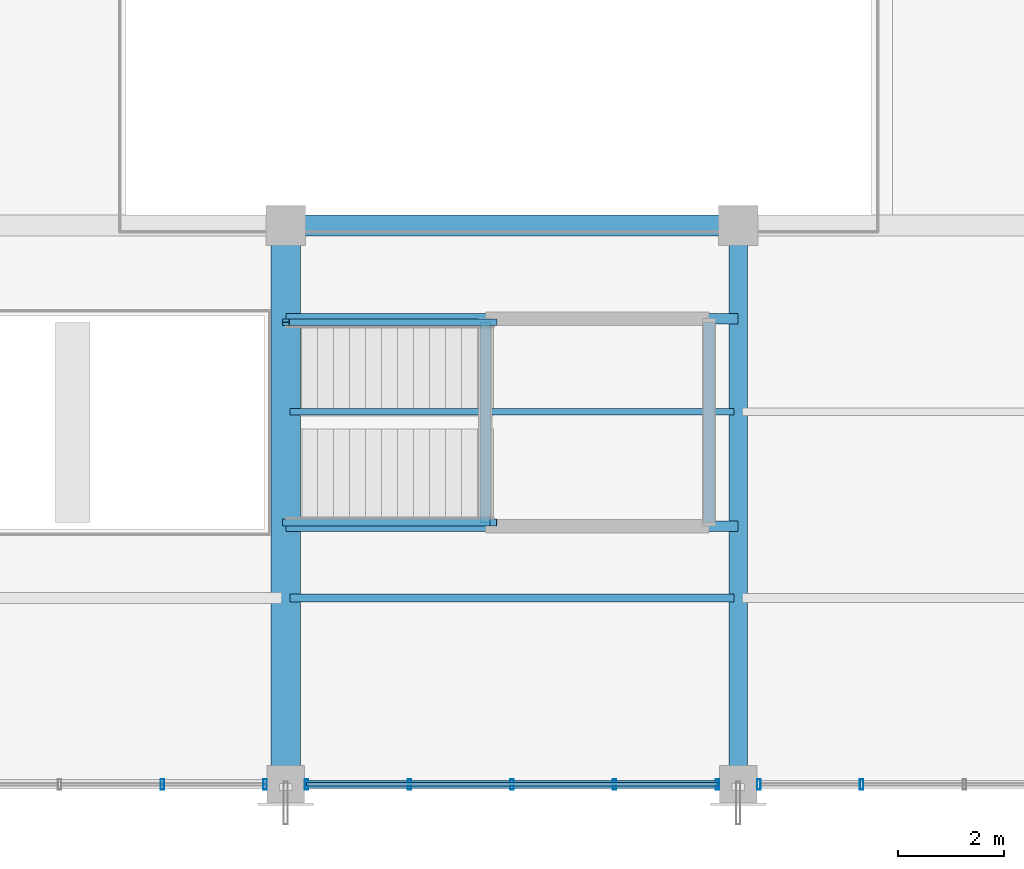
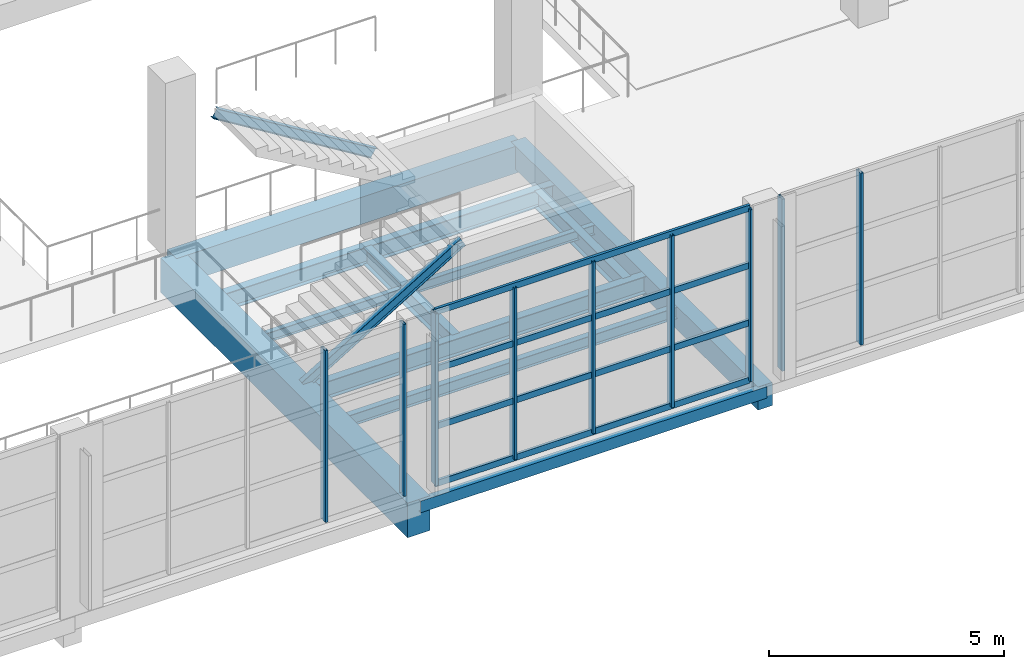
# One storey, part 17 of 112: 15 members, 10 beams, 3 elements without a shape of their own.
"""IFC4 building model written with IfcOpenShell, lengths in metres."""

from ifc_helpers import new_model, si_unit, direction, frame, origin, origin_2d, place, context, subcontext, project, spatial, rectangle, hollow_rectangle, i_section, extrude, material, material_profile, profile_set, type_object, element, aggregate, save


model = new_model("IFC4")

# Units and contexts
model_context = context("Model", 3, precision=1e-05, world=origin(), true_north=direction((0.0, 1.0)))
body_context = subcontext(model_context, "Body", "Model", "MODEL_VIEW")
ifc_project = project(units=[si_unit("LENGTHUNIT", "METRE"), si_unit("AREAUNIT", "SQUARE_METRE"), si_unit("VOLUMEUNIT", "CUBIC_METRE"), si_unit("PLANEANGLEUNIT", "RADIAN"), si_unit("MASSUNIT", "GRAM", prefix="KILO")], contexts=[model_context])

# Site, building, storey
site_placement = place(None, origin())
site = spatial("IfcSite", under=ifc_project, at=site_placement, CompositionType="ELEMENT")
building_placement = place(site_placement, origin())
building = spatial("IfcBuilding", under=site, at=building_placement, Name="Solvikara Media Centre", CompositionType="ELEMENT")
storey_placement = place(building_placement, frame((0.0, 0.0, 5.39990234375)))
storey = spatial("IfcBuildingStorey", under=building, at=storey_placement, Name="L01", CompositionType="ELEMENT", Elevation=5.39990234375)

# Beams
ifc_material_1 = material(Name="Concrete fc' 35 MPa (C35/45)", Category="concrete")
ifc_material_profile_1 = material_profile(ifc_material_1, rectangle(XDim=0.35009765625, YDim=0.60009765625, at=origin_2d()), Name="RC 350x600")
ifc_profile_set_1 = profile_set([ifc_material_profile_1], Name="Concrete fc' 35 MPa (C35/45)")
beam_type_1 = type_object("IfcBeamType", Name="BM-01", PredefinedType="BEAM", material=ifc_profile_set_1)
beam_1_placement = place(storey_placement, frame((59.5, 0.0, -0.559814453125), z_axis=(0.0, 1.0, 0.0), x_axis=(-1.0, 0.0, 0.0)))
element("IfcBeam", 1, at=beam_1_placement, inside=storey, type_object=beam_type_1, Name="B-L01-Y0589", PredefinedType="BEAM", context=body_context, shape_type="SweptSolid", body=[
    extrude(rectangle(XDim=0.35009765625, YDim=0.60009765625, at=origin_2d()), origin(), (0.0, 0.0, 1.0), 10.5),
])
ifc_material_profile_2 = material_profile(ifc_material_1, rectangle(XDim=0.39990234375, YDim=0.699951171875, at=origin_2d()), Name="RC 400x700")
ifc_profile_set_2 = profile_set([ifc_material_profile_2], Name="Concrete fc' 35 MPa (C35/45)")
beam_type_2 = type_object("IfcBeamType", Name="BM-03", PredefinedType="BEAM", material=ifc_profile_set_2)
beam_2_placement = place(storey_placement, frame((51.0, 10.5, -0.60986328125), z_axis=(1.0, 0.0, 0.0), x_axis=(0.0, 1.0, 0.0)))
element("IfcBeam", 2, at=beam_2_placement, inside=storey, type_object=beam_type_2, Name="B-L01-X0459", PredefinedType="BEAM", context=body_context, shape_type="SweptSolid", body=[
    extrude(rectangle(XDim=0.39990234375, YDim=0.699951171875, at=origin_2d()), origin(), (0.0, 0.0, 1.0), 8.5),
])
ifc_material_2 = material(Name="Concrete fc' 45 MPa (C45/55)", Category="concrete")
ifc_material_profile_3 = material_profile(ifc_material_2, rectangle(XDim=0.550048828125, YDim=0.89990234375, at=origin_2d()), Name="RC 550x900")
ifc_profile_set_3 = profile_set([ifc_material_profile_3], Name="Concrete fc' 45 MPa (C45/55)")
beam_type_3 = type_object("IfcBeamType", Name="BM-10", PredefinedType="BEAM", material=ifc_profile_set_3)
beam_3_placement = place(storey_placement, frame((51.0, 0.0, -0.7099609375), z_axis=(0.0, 1.0, 0.0), x_axis=(-1.0, 0.0, 0.0)))
element("IfcBeam", 3, at=beam_3_placement, inside=storey, type_object=beam_type_3, Name="B-L01-Y0586", PredefinedType="BEAM", context=body_context, shape_type="SweptSolid", body=[
    extrude(rectangle(XDim=0.550048828125, YDim=0.89990234375, at=origin_2d()), origin(), (0.0, 0.0, 1.0), 10.5),
])
ifc_material_3 = material(Name="Steel S355JR", Category="steel")
ifc_material_profile_4 = material_profile(ifc_material_3, i_section(OverallWidth=0.199951171875, OverallDepth=0.449951171875, WebThickness=0.009033203125, FlangeThickness=0.013916015625, at=origin_2d()), Name="WF 450x200x9x14")
ifc_profile_set_4 = profile_set([ifc_material_profile_4], Name="Steel S355JR")
beam_type_4 = type_object("IfcBeamType", Name="BM-20", PredefinedType="BEAM", material=ifc_profile_set_4)
for number, where, z_axis, x_axis, name in (
    (4, (51.0, 4.85009765625, -0.48681640625), (1.0, 0.0, 0.0), (0.0, 1.0, 0.0), "B-FOY2-S"),
    (5, (51.0, 8.75, -0.48681640625), (1.0, 0.0, 0.0), (0.0, 1.0, 0.0), "B-FOY2-N"),
):
    element("IfcBeam", number, at=place(storey_placement, frame(where, z_axis=z_axis, x_axis=x_axis)), inside=storey, type_object=beam_type_4, Name=name, PredefinedType="BEAM", context=body_context, shape_type="SweptSolid", body=[
        extrude(i_section(OverallWidth=0.199951171875, OverallDepth=0.449951171875, WebThickness=0.009033203125, FlangeThickness=0.013916015625, at=origin_2d()), origin(), (0.0, 0.0, 1.0), 8.5),
    ])
for number, where, z_axis, x_axis, name in (
    (6, (58.949951171875, 4.919921875, -0.48681640625), (0.0, 1.0, 0.0), (-1.0, 0.0, 0.0), "B-FOY2-E"),
    (7, (54.75, 4.919921875, -0.48681640625), (0.0, 1.0, 0.0), (-1.0, 0.0, 0.0), "B-FOY2-W"),
):
    element("IfcBeam", number, at=place(storey_placement, frame(where, z_axis=z_axis, x_axis=x_axis)), inside=storey, type_object=beam_type_4, Name=name, PredefinedType="BEAM", context=body_context, shape_type="SweptSolid", body=[
        extrude(i_section(OverallWidth=0.199951171875, OverallDepth=0.449951171875, WebThickness=0.009033203125, FlangeThickness=0.013916015625, at=origin_2d()), origin(), (0.0, 0.0, 1.0), 3.760009765625),
    ])
ifc_material_profile_5 = material_profile(ifc_material_3, hollow_rectangle(XDim=0.14990234375, YDim=0.300048828125, WallThickness=0.010009765625, at=origin_2d()), Name="RHS 300x150x10")
ifc_profile_set_5 = profile_set([ifc_material_profile_5], Name="Steel S355JR")
beam_type_5 = type_object("IfcBeamType", Name="BM-35", PredefinedType="BEAM", material=ifc_profile_set_5)
beam_4_placement = place(storey_placement, frame((51.0, 0.0, -0.411865234375), z_axis=(1.0, 0.0, 0.0), x_axis=(0.0, 1.0, 0.0)))
element("IfcBeam", 8, at=beam_4_placement, inside=storey, type_object=beam_type_5, Name="B-L01-X0445", PredefinedType="BEAM", context=body_context, shape_type="SweptSolid", body=[
    extrude(hollow_rectangle(XDim=0.14990234375, YDim=0.300048828125, WallThickness=0.010009765625, at=origin_2d()), origin(), (0.0, 0.0, 1.0), 8.5),
])
ifc_material_profile_6 = material_profile(ifc_material_3, i_section(OverallWidth=0.14892578125, OverallDepth=0.298095703125, WebThickness=0.005615234375, FlangeThickness=0.008056640625, at=origin_2d()), Name="WF 298x149x5.5x8")
ifc_profile_set_6 = profile_set([ifc_material_profile_6], Name="Steel S355JR")
beam_type_6 = type_object("IfcBeamType", Name="BM-39", PredefinedType="JOIST", material=ifc_profile_set_6)
beam_5_placement = place(storey_placement, frame((51.077880859375, 3.5, -0.410888671875), z_axis=(1.0, 0.0, 0.0), x_axis=(0.0, 1.0, 0.0)))
element("IfcBeam", 9, at=beam_5_placement, inside=storey, type_object=beam_type_6, Name="J-L01-0743", PredefinedType="JOIST", context=body_context, shape_type="SweptSolid", body=[
    extrude(i_section(OverallWidth=0.14892578125, OverallDepth=0.298095703125, WebThickness=0.005615234375, FlangeThickness=0.008056640625, at=origin_2d()), origin(), (0.0, 0.0, 1.0), 8.34423828125),
])
ifc_material_profile_7 = material_profile(ifc_material_3, i_section(OverallWidth=0.1240234375, OverallDepth=0.248046875, WebThickness=0.0048828125, FlangeThickness=0.008056640625, at=origin_2d()), Name="WF 248x124x5x8")
ifc_profile_set_7 = profile_set([ifc_material_profile_7], Name="Steel S355JR")
beam_type_7 = type_object("IfcBeamType", Name="BM-40", PredefinedType="JOIST", material=ifc_profile_set_7)
beam_6_placement = place(storey_placement, frame((51.077880859375, 7.0, -0.385986328125), z_axis=(1.0, 0.0, 0.0), x_axis=(0.0, 1.0, 0.0)))
element("IfcBeam", 10, at=beam_6_placement, inside=storey, type_object=beam_type_7, Name="J-L01-0744", PredefinedType="JOIST", context=body_context, shape_type="SweptSolid", body=[
    extrude(i_section(OverallWidth=0.1240234375, OverallDepth=0.248046875, WebThickness=0.0048828125, FlangeThickness=0.008056640625, at=origin_2d()), origin(), (0.0, 0.0, 1.0), 8.34423828125),
])

# Members
ifc_material_profile_8 = material_profile(ifc_material_3, i_section(OverallWidth=0.1240234375, OverallDepth=0.248046875, WebThickness=0.0048828125, FlangeThickness=0.008056640625, at=origin_2d()), Name="WF 248x124x5x8")
ifc_profile_set_8 = profile_set([ifc_material_profile_8], Name="Steel S355JR")
member_type_1 = type_object("IfcMemberType", Name="MB-23", PredefinedType="STRINGER", material=ifc_profile_set_8)
member_1_placement = place(storey_placement, frame((51.0, 4.919921875, -0.260009765625), z_axis=(0.854561979121, 0.0, 0.519349423645), x_axis=(0.0, 1.0, 0.0)))
element("IfcMember", 11, at=member_1_placement, inside=storey, type_object=member_type_1, Name="STRG-FOY-2A", PredefinedType="STRINGER", context=body_context, shape_type="SweptSolid", body=[
    extrude(i_section(OverallWidth=0.1240234375, OverallDepth=0.248046875, WebThickness=0.0048828125, FlangeThickness=0.008056640625, at=origin_2d()), origin(), (0.0, 0.0, 1.0), 4.563720703125),
])
member_2_placement = place(storey_placement, frame((54.89990234375, 8.679931640625, 2.110107421875), z_axis=(-0.851661977835, 0.0, 0.524091476281), x_axis=(0.0, -1.0, 0.0)))
element("IfcMember", 12, at=member_2_placement, inside=storey, type_object=member_type_1, Name="STRG-FOY-2B", PredefinedType="STRINGER", context=body_context, shape_type="SweptSolid", body=[
    extrude(i_section(OverallWidth=0.1240234375, OverallDepth=0.248046875, WebThickness=0.0048828125, FlangeThickness=0.008056640625, at=origin_2d()), origin(), (0.0, 0.0, 1.0), 4.5791015625),
])

# Curtain wall, members
ifc_material_4 = material(Name="Anodised aluminium EN AW-6063", Category="aluminium")
curtain_wall_type = type_object("IfcCurtainWallType", Name="CW-04", PredefinedType="NOTDEFINED", material=ifc_material_4)
curtain_wall_1_placement = place(storey_placement, origin())
curtain_wall_1 = element("IfcCurtainWall", 13, at=curtain_wall_1_placement, inside=storey, type_object=curtain_wall_type, Name="CW-L01-V6S-2", PredefinedType="NOTDEFINED")
ifc_material_profile_9 = material_profile(ifc_material_4, hollow_rectangle(XDim=0.06494140625, YDim=0.199951171875, WallThickness=0.00390625, at=origin_2d()), Name="ALU-M 65x200x4")
ifc_profile_set_9 = profile_set([ifc_material_profile_9], Name="Anodised aluminium EN AW-6063")
member_type_2 = type_object("IfcMemberType", Name="MF-02", PredefinedType="MULLION", material=ifc_profile_set_9)
member_3_placement = place(storey_placement, frame((48.679931640625, 0.0, 0.02001953125), z_axis=(0.0, 0.0, 1.0), x_axis=(1.0, 0.0, 0.0)))
member_3 = element("IfcMember", 14, at=member_3_placement, type_object=member_type_2, Name="CW-L01-V6S-2-M03", PredefinedType="MULLION", context=body_context, shape_type="SweptSolid", body=[
    extrude(hollow_rectangle(XDim=0.06494140625, YDim=0.199951171875, WallThickness=0.00390625, at=origin_2d()), origin(), (0.0, 0.0, 1.0), 4.4599609375),
])
member_4_placement = place(storey_placement, frame((50.610107421875, 0.0, 0.02001953125), z_axis=(0.0, 0.0, 1.0), x_axis=(1.0, 0.0, 0.0)))
member_4 = element("IfcMember", 15, at=member_4_placement, type_object=member_type_2, Name="CW-L01-V6S-2-M04", PredefinedType="MULLION", context=body_context, shape_type="SweptSolid", body=[
    extrude(hollow_rectangle(XDim=0.06494140625, YDim=0.199951171875, WallThickness=0.00390625, at=origin_2d()), origin(), (0.0, 0.0, 1.0), 4.4599609375),
])
aggregate(curtain_wall_1, [member_3, member_4])

curtain_wall_2_placement = place(storey_placement, origin())
curtain_wall_2 = element("IfcCurtainWall", 16, at=curtain_wall_2_placement, inside=storey, type_object=curtain_wall_type, Name="CW-L01-V6S-3", PredefinedType="NOTDEFINED")
member_5_placement = place(storey_placement, frame((51.389892578125, 0.0, 0.02001953125), z_axis=(0.0, 0.0, 1.0), x_axis=(1.0, 0.0, 0.0)))
member_5 = element("IfcMember", 17, at=member_5_placement, type_object=member_type_2, Name="CW-L01-V6S-3-M00", PredefinedType="MULLION", context=body_context, shape_type="SweptSolid", body=[
    extrude(hollow_rectangle(XDim=0.06494140625, YDim=0.199951171875, WallThickness=0.00390625, at=origin_2d()), origin(), (0.0, 0.0, 1.0), 4.4599609375),
])
member_6_placement = place(storey_placement, frame((53.320068359375, 0.0, 0.02001953125), z_axis=(0.0, 0.0, 1.0), x_axis=(1.0, 0.0, 0.0)))
member_6 = element("IfcMember", 18, at=member_6_placement, type_object=member_type_2, Name="CW-L01-V6S-3-M01", PredefinedType="MULLION", context=body_context, shape_type="SweptSolid", body=[
    extrude(hollow_rectangle(XDim=0.06494140625, YDim=0.199951171875, WallThickness=0.00390625, at=origin_2d()), origin(), (0.0, 0.0, 1.0), 4.4599609375),
])
member_7_placement = place(storey_placement, frame((55.25, 0.0, 0.02001953125), z_axis=(0.0, 0.0, 1.0), x_axis=(1.0, 0.0, 0.0)))
member_7 = element("IfcMember", 19, at=member_7_placement, type_object=member_type_2, Name="CW-L01-V6S-3-M02", PredefinedType="MULLION", context=body_context, shape_type="SweptSolid", body=[
    extrude(hollow_rectangle(XDim=0.06494140625, YDim=0.199951171875, WallThickness=0.00390625, at=origin_2d()), origin(), (0.0, 0.0, 1.0), 4.4599609375),
])
member_8_placement = place(storey_placement, frame((57.179931640625, 0.0, 0.02001953125), z_axis=(0.0, 0.0, 1.0), x_axis=(1.0, 0.0, 0.0)))
member_8 = element("IfcMember", 20, at=member_8_placement, type_object=member_type_2, Name="CW-L01-V6S-3-M03", PredefinedType="MULLION", context=body_context, shape_type="SweptSolid", body=[
    extrude(hollow_rectangle(XDim=0.06494140625, YDim=0.199951171875, WallThickness=0.00390625, at=origin_2d()), origin(), (0.0, 0.0, 1.0), 4.4599609375),
])
member_9_placement = place(storey_placement, frame((59.110107421875, 0.0, 0.02001953125), z_axis=(0.0, 0.0, 1.0), x_axis=(1.0, 0.0, 0.0)))
member_9 = element("IfcMember", 21, at=member_9_placement, type_object=member_type_2, Name="CW-L01-V6S-3-M04", PredefinedType="MULLION", context=body_context, shape_type="SweptSolid", body=[
    extrude(hollow_rectangle(XDim=0.06494140625, YDim=0.199951171875, WallThickness=0.00390625, at=origin_2d()), origin(), (0.0, 0.0, 1.0), 4.4599609375),
])

curtain_wall_3_placement = place(storey_placement, origin())
curtain_wall_3 = element("IfcCurtainWall", 22, at=curtain_wall_3_placement, inside=storey, type_object=curtain_wall_type, Name="CW-L01-V6S-4", PredefinedType="NOTDEFINED")
member_10_placement = place(storey_placement, frame((59.889892578125, 0.0, 0.02001953125), z_axis=(0.0, 0.0, 1.0), x_axis=(1.0, 0.0, 0.0)))
member_10 = element("IfcMember", 23, at=member_10_placement, type_object=member_type_2, Name="CW-L01-V6S-4-M00", PredefinedType="MULLION", context=body_context, shape_type="SweptSolid", body=[
    extrude(hollow_rectangle(XDim=0.06494140625, YDim=0.199951171875, WallThickness=0.00390625, at=origin_2d()), origin(), (0.0, 0.0, 1.0), 4.4599609375),
])
member_11_placement = place(storey_placement, frame((61.820068359375, 0.0, 0.02001953125), z_axis=(0.0, 0.0, 1.0), x_axis=(1.0, 0.0, 0.0)))
member_11 = element("IfcMember", 24, at=member_11_placement, type_object=member_type_2, Name="CW-L01-V6S-4-M01", PredefinedType="MULLION", context=body_context, shape_type="SweptSolid", body=[
    extrude(hollow_rectangle(XDim=0.06494140625, YDim=0.199951171875, WallThickness=0.00390625, at=origin_2d()), origin(), (0.0, 0.0, 1.0), 4.4599609375),
])
aggregate(curtain_wall_3, [member_10, member_11])

# Member
ifc_material_profile_10 = material_profile(ifc_material_4, hollow_rectangle(XDim=0.06494140625, YDim=0.159912109375, WallThickness=0.00341796875, at=origin_2d()), Name="ALU-T 65x160x3.5")
ifc_profile_set_10 = profile_set([ifc_material_profile_10], Name="Anodised aluminium EN AW-6063")
member_type_3 = type_object("IfcMemberType", Name="MF-08", PredefinedType="USERDEFINED", material=ifc_profile_set_10)
member_12_placement = place(storey_placement, frame((51.389892578125, 0.0, 0.02001953125), z_axis=(1.0, 0.0, 0.0), x_axis=(0.0, 1.0, 0.0)))
member_12 = element("IfcMember", 25, at=member_12_placement, type_object=member_type_3, Name="CW-L01-V6S-3-T00", ObjectType="TRANSOM", PredefinedType="USERDEFINED", context=body_context, shape_type="SweptSolid", body=[
    extrude(hollow_rectangle(XDim=0.06494140625, YDim=0.159912109375, WallThickness=0.00341796875, at=origin_2d()), origin(), (0.0, 0.0, 1.0), 7.72021484375),
])

member_13_placement = place(storey_placement, frame((51.389892578125, 0.0, 1.507080078125), z_axis=(1.0, 0.0, 0.0), x_axis=(0.0, 1.0, 0.0)))
member_13 = element("IfcMember", 26, at=member_13_placement, type_object=member_type_3, Name="CW-L01-V6S-3-T01", ObjectType="TRANSOM", PredefinedType="USERDEFINED", context=body_context, shape_type="SweptSolid", body=[
    extrude(hollow_rectangle(XDim=0.06494140625, YDim=0.159912109375, WallThickness=0.00341796875, at=origin_2d()), origin(), (0.0, 0.0, 1.0), 7.72021484375),
])

member_14_placement = place(storey_placement, frame((51.389892578125, 0.0, 2.9931640625), z_axis=(1.0, 0.0, 0.0), x_axis=(0.0, 1.0, 0.0)))
member_14 = element("IfcMember", 27, at=member_14_placement, type_object=member_type_3, Name="CW-L01-V6S-3-T02", ObjectType="TRANSOM", PredefinedType="USERDEFINED", context=body_context, shape_type="SweptSolid", body=[
    extrude(hollow_rectangle(XDim=0.06494140625, YDim=0.159912109375, WallThickness=0.00341796875, at=origin_2d()), origin(), (0.0, 0.0, 1.0), 7.72021484375),
])

member_15_placement = place(storey_placement, frame((51.389892578125, 0.0, 4.47998046875), z_axis=(1.0, 0.0, 0.0), x_axis=(0.0, 1.0, 0.0)))
member_15 = element("IfcMember", 28, at=member_15_placement, type_object=member_type_3, Name="CW-L01-V6S-3-T03", ObjectType="TRANSOM", PredefinedType="USERDEFINED", context=body_context, shape_type="SweptSolid", body=[
    extrude(hollow_rectangle(XDim=0.06494140625, YDim=0.159912109375, WallThickness=0.00341796875, at=origin_2d()), origin(), (0.0, 0.0, 1.0), 7.72021484375),
])

aggregate(curtain_wall_2, [member_5, member_6, member_7, member_8, member_9, member_12, member_13, member_14, member_15])

save(model, "model.ifc")
